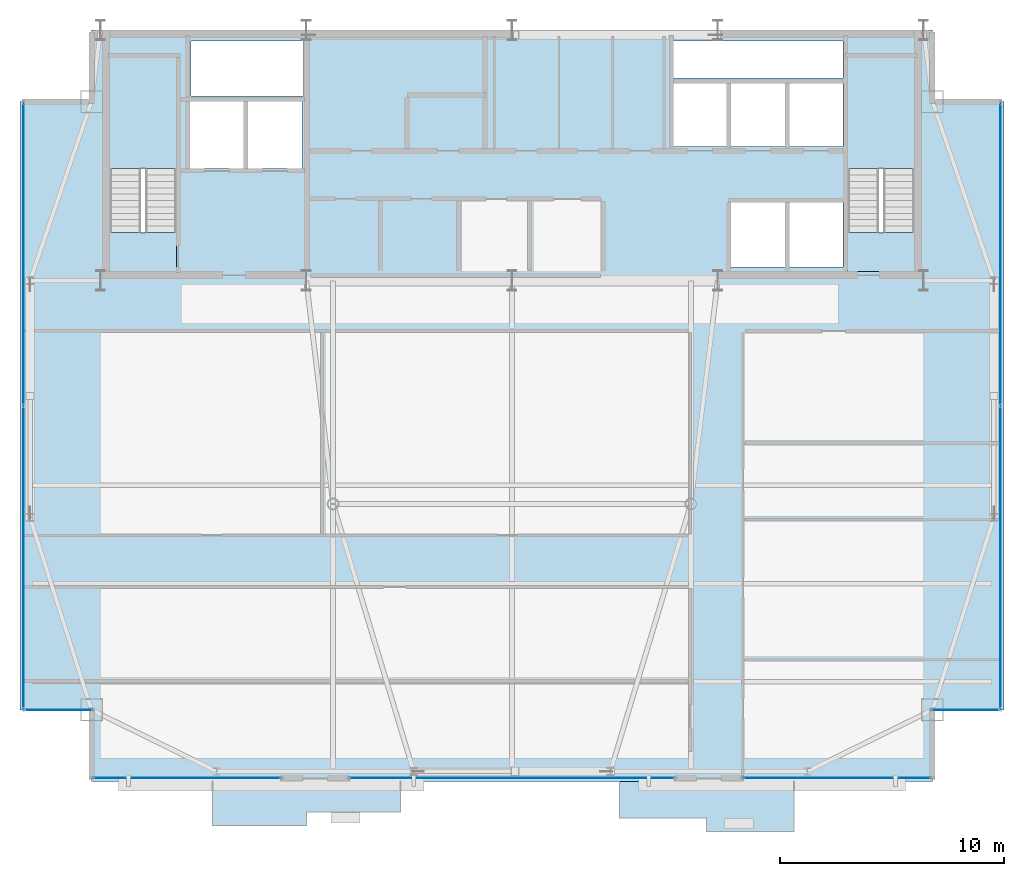
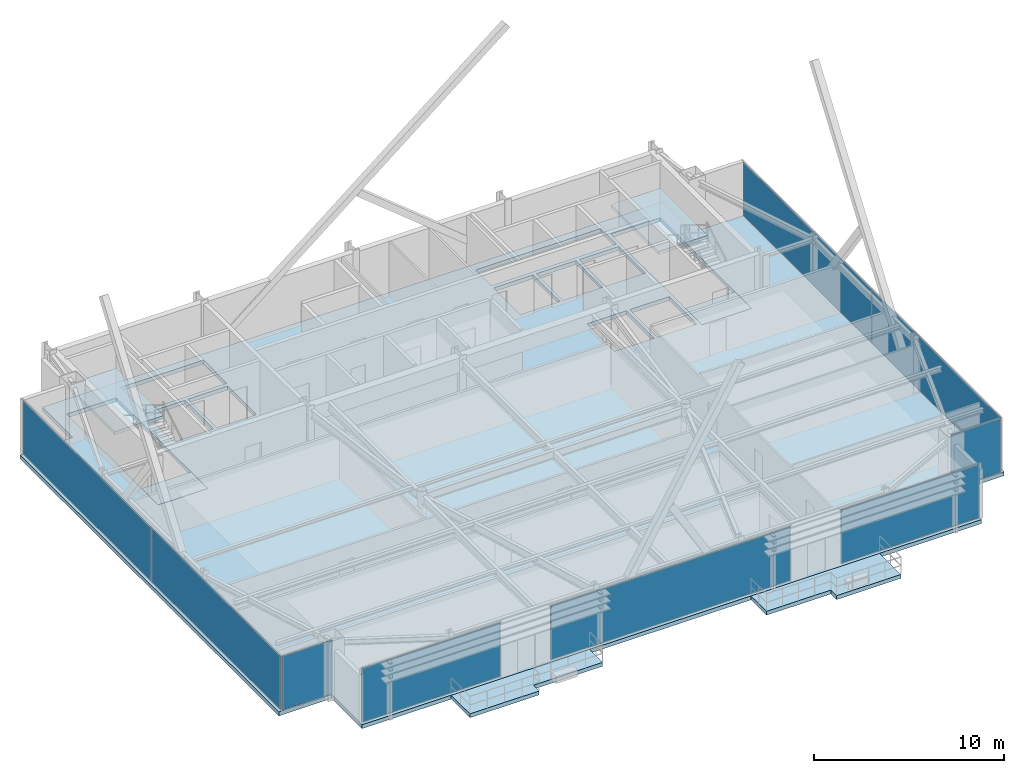
# One storey, part 18 of 25: 9 plates, 7 slabs, 9 elements without a shape of their own.
"""IFC4 building model written with IfcOpenShell, lengths in metres."""

from ifc_helpers import new_model, si_unit, direction, frame, origin, origin_2d, place, context, subcontext, project, spatial, polyline, rectangle, outline, extrude, source, transform, mapped, material, layer, layer_set, type_object, type_shapes, element, aggregate, save


model = new_model("IFC4")

# Units and contexts
model_context = context("Model", 3, precision=1e-05, world=origin(), true_north=direction((0.0, 1.0)))
body_context = subcontext(model_context, "Body", "Model", "MODEL_VIEW")
ifc_project = project(units=[si_unit("LENGTHUNIT", "METRE"), si_unit("AREAUNIT", "SQUARE_METRE"), si_unit("VOLUMEUNIT", "CUBIC_METRE"), si_unit("PLANEANGLEUNIT", "RADIAN"), si_unit("MASSUNIT", "GRAM", prefix="KILO")], contexts=[model_context])

# Site, building, storey
site_placement = place(None, origin())
site = spatial("IfcSite", under=ifc_project, at=site_placement, CompositionType="ELEMENT")
building_placement = place(site_placement, origin())
building = spatial("IfcBuilding", under=site, at=building_placement, Name="Varnel Quay Broadcast Tower", CompositionType="ELEMENT")
storey_placement = place(building_placement, frame((0.0, 0.0, 273.60009765625)))
storey = spatial("IfcBuildingStorey", under=building, at=storey_placement, Name="L68", CompositionType="ELEMENT", Elevation=273.60009765625)

# Slabs
ifc_material_1 = material(Name="Concrete CSA A23.3 C40/50", Category="concrete")
ifc_layer_1 = layer(ifc_material_1, 0.25, Name="Concrete CSA A23.3 C40/50")
ifc_layer_set_1 = layer_set([ifc_layer_1], Name="Concrete CSA A23.3 C40/50")
slab_type_1 = type_object("IfcSlabType", Name="Slab_ExtTerrace250", PredefinedType="FLOOR", material=ifc_layer_set_1)
slab_1_placement = place(storey_placement, frame((0.0, 0.0, -0.25)))
element("IfcSlab", 1, at=slab_1_placement, inside=storey, type_object=slab_type_1, Name="L68 Planted Lobe Terrace Slab 1", PredefinedType="FLOOR", context=body_context, shape_type="SweptSolid", body=[
    extrude(outline(polyline([(20.610107421875, 11.22900390625), (24.81005859375, 11.22900390625), (24.81005859375, 11.8291015625), (29.010009765625, 11.8291015625), (29.010009765625, 13.199951171875), (20.610107421875, 13.199951171875), (20.610107421875, 11.22900390625)])), origin(), (0.0, 0.0, 1.0), 0.25),
])
slab_2_placement = place(storey_placement, frame((0.0, 0.0, -0.25)))
element("IfcSlab", 2, at=slab_2_placement, inside=storey, type_object=slab_type_1, Name="L68 Planted Lobe Terrace Slab 2", PredefinedType="FLOOR", context=body_context, shape_type="SweptSolid", body=[
    extrude(outline(polyline([(38.800048828125, 11.571044921875), (42.705078125, 11.571044921875), (42.705078125, 10.970947265625), (46.610107421875, 10.970947265625), (46.610107421875, 13.199951171875), (38.800048828125, 13.199951171875), (38.800048828125, 11.571044921875)])), origin(), (0.0, 0.0, 1.0), 0.25),
])
ifc_material_2 = material(Name="Concrete CSA A23.3 C50/60", Category="concrete")
ifc_layer_2 = layer(ifc_material_2, 0.25, Name="Concrete CSA A23.3 C50/60")
ifc_layer_set_2 = layer_set([ifc_layer_2], Name="Concrete CSA A23.3 C50/60")
slab_type_2 = type_object("IfcSlabType", Name="Slab_Floor250", PredefinedType="FLOOR", material=ifc_layer_set_2)
slab_3_placement = place(storey_placement, frame((0.0, 0.0, -0.25)))
element("IfcSlab", 3, at=slab_3_placement, inside=storey, type_object=slab_type_2, Name="L68 Structural Slab", PredefinedType="FLOOR", context=body_context, shape_type="SweptSolid", body=[
    extrude(outline(polyline([(15.199951171875, 13.199951171875), (52.800048828125, 13.199951171875), (52.800048828125, 16.39990234375), (56.0, 16.39990234375), (56.0, 43.60009765625), (52.800048828125, 43.60009765625), (52.800048828125, 46.800048828125), (15.199951171875, 46.800048828125), (15.199951171875, 43.60009765625), (12.0, 43.60009765625), (12.0, 16.39990234375), (15.199951171875, 16.39990234375), (15.199951171875, 13.199951171875)]), holes=[polyline([(19.0, 36.0), (16.0, 36.0), (16.0, 45.60009765625), (19.0, 45.60009765625), (19.0, 36.0)]), polyline([(19.60009765625, 40.60009765625), (19.60009765625, 43.60009765625), (22.0, 43.60009765625), (22.0, 40.60009765625), (19.60009765625, 40.60009765625)]), polyline([(22.199951171875, 40.60009765625), (22.199951171875, 43.60009765625), (24.60009765625, 43.60009765625), (24.60009765625, 40.60009765625), (22.199951171875, 40.60009765625)]), polyline([(41.199951171875, 44.39990234375), (43.60009765625, 44.39990234375), (43.60009765625, 41.60009765625), (41.199951171875, 41.60009765625), (41.199951171875, 44.39990234375)]), polyline([(43.800048828125, 44.39990234375), (46.199951171875, 44.39990234375), (46.199951171875, 41.60009765625), (43.800048828125, 41.60009765625), (43.800048828125, 44.39990234375)]), polyline([(19.64990234375, 43.85009765625), (19.64990234375, 46.300048828125), (24.679931640625, 46.300048828125), (24.679931640625, 43.85009765625), (19.64990234375, 43.85009765625)]), polyline([(43.800048828125, 39.10009765625), (46.199951171875, 39.10009765625), (46.199951171875, 36.199951171875), (43.800048828125, 36.199951171875), (43.800048828125, 39.10009765625)]), polyline([(46.39990234375, 39.10009765625), (48.800048828125, 39.10009765625), (48.800048828125, 36.199951171875), (46.39990234375, 36.199951171875), (46.39990234375, 39.10009765625)]), polyline([(52.0, 36.0), (49.0, 36.0), (49.0, 45.60009765625), (52.0, 45.60009765625), (52.0, 36.0)]), polyline([(46.39990234375, 44.39990234375), (48.800048828125, 44.39990234375), (48.800048828125, 41.60009765625), (46.39990234375, 41.60009765625), (46.39990234375, 44.39990234375)]), polyline([(41.199951171875, 46.300048828125), (48.800048828125, 46.300048828125), (48.800048828125, 44.64990234375), (41.199951171875, 44.64990234375), (41.199951171875, 46.300048828125)])]), origin(), (0.0, 0.0, 1.0), 0.25),
])
ifc_layer_3 = layer(ifc_material_2, 0.25, Name="Concrete CSA A23.3 C50/60")
ifc_layer_set_3 = layer_set([ifc_layer_3], Name="Concrete CSA A23.3 C50/60")
slab_type_3 = type_object("IfcSlabType", Name="Slab_StairFloorLanding250", PredefinedType="FLOOR", material=ifc_layer_set_3)
slab_4_placement = place(storey_placement, frame((0.0, 0.0, -0.25)))
element("IfcSlab", 4, at=slab_4_placement, inside=storey, type_object=slab_type_3, Name="L68 ST-01 Structural Floor Landing Slab", PredefinedType="FLOOR", context=body_context, shape_type="SweptSolid", body=[
    extrude(outline(polyline([(19.0, 36.0), (19.0, 37.75), (16.0, 37.75), (16.0, 36.0), (19.0, 36.0)])), origin(), (0.0, 0.0, 1.0), 0.25),
])
slab_5_placement = place(storey_placement, frame((0.0, 0.0, -0.25)))
element("IfcSlab", 5, at=slab_5_placement, inside=storey, type_object=slab_type_3, Name="L68 ST-02 Structural Floor Landing Slab", PredefinedType="FLOOR", context=body_context, shape_type="SweptSolid", body=[
    extrude(outline(polyline([(52.0, 36.0), (52.0, 37.75), (49.0, 37.75), (49.0, 36.0), (52.0, 36.0)])), origin(), (0.0, 0.0, 1.0), 0.25),
])

# Stair, slab
ifc_material_3 = material(Name="Precast Structural Concrete C40/50", Category="concrete")
stair_type_1 = type_object("IfcStairType", Name="Stair_ST-01", PredefinedType="HALF_TURN_STAIR", material=ifc_material_3)
stair_1_placement = place(storey_placement, origin())
stair_1 = element("IfcStair", 6, at=stair_1_placement, inside=storey, type_object=stair_type_1, Name="L68 West Core Exit Stair 1", PredefinedType="HALF_TURN_STAIR")
ifc_layer_4 = layer(ifc_material_3, 0.199951171875, Name="Precast Structural Concrete C40/50")
ifc_layer_set_4 = layer_set([ifc_layer_4], Name="Precast Structural Concrete C40/50")
slab_type_4 = type_object("IfcSlabType", Name="Slab_StairLanding200", PredefinedType="LANDING", material=ifc_layer_set_4)
slab_6_placement = place(storey_placement, frame((0.0, 0.0, 1.699951171875)))
slab_6 = element("IfcSlab", 7, at=slab_6_placement, type_object=slab_type_4, Name="ST-01 landing 1", PredefinedType="LANDING", context=body_context, shape_type="SweptSolid", body=[
    extrude(outline(polyline([(19.0, 40.60009765625), (19.0, 45.60009765625), (16.0, 45.60009765625), (16.0, 40.60009765625), (19.0, 40.60009765625)])), origin(), (0.0, 0.0, 1.0), 0.199951171875),
])
aggregate(stair_1, [slab_6])

stair_type_2 = type_object("IfcStairType", Name="Stair_ST-02", PredefinedType="HALF_TURN_STAIR", material=ifc_material_3)
stair_2_placement = place(storey_placement, origin())
stair_2 = element("IfcStair", 8, at=stair_2_placement, inside=storey, type_object=stair_type_2, Name="L68 East Core Exit Stair 2", PredefinedType="HALF_TURN_STAIR")
slab_7_placement = place(storey_placement, frame((0.0, 0.0, 1.699951171875)))
slab_7 = element("IfcSlab", 9, at=slab_7_placement, type_object=slab_type_4, Name="ST-02 landing 1", PredefinedType="LANDING", context=body_context, shape_type="SweptSolid", body=[
    extrude(outline(polyline([(52.0, 40.60009765625), (52.0, 45.60009765625), (49.0, 45.60009765625), (49.0, 40.60009765625), (52.0, 40.60009765625)])), origin(), (0.0, 0.0, 1.0), 0.199951171875),
])
aggregate(stair_2, [slab_7])

# Curtain wall, plate
ifc_material_4 = material(Name="Anodised Bronze Aluminium 6063-T6", Category="aluminium")
ifc_layer_5 = layer(ifc_material_4, 0.18994140625, Name="Anodised Bronze Aluminium 6063-T6")
ifc_layer_set_5 = layer_set([ifc_layer_5], Name="Anodised Bronze Aluminium 6063-T6")
curtain_wall_type_1 = type_object("IfcCurtainWallType", Name="CW_UpperTower", PredefinedType="NOTDEFINED", material=ifc_layer_set_5)
curtain_wall_1_placement = place(storey_placement, origin())
curtain_wall_1 = element("IfcCurtainWall", 10, at=curtain_wall_1_placement, inside=storey, type_object=curtain_wall_type_1, Name="L68 South Unitised Curtain Wall 1", PredefinedType="NOTDEFINED")
ifc_material_5 = material(Name="Triple-Glazed Bronze Low-E Architectural Glass", Category="glass")
ifc_layer_6 = layer(ifc_material_5, 0.030029296875, Name="Triple-Glazed Bronze Low-E Architectural Glass")
ifc_layer_set_6 = layer_set([ifc_layer_6], Name="Triple-Glazed Bronze Low-E Architectural Glass")
plate_type_1 = type_object("IfcPlateType", Name="Panel_CWS-03", PredefinedType="CURTAIN_PANEL", material=ifc_layer_set_6)
shared_shape_1 = source(origin(), body_context, "Body", "SweptSolid", [
    extrude(rectangle(XDim=8.389892578125, YDim=0.030029296875, at=origin_2d()), origin(), (0.0, 0.0, 1.0), 3.429931640625),
])
type_shapes(plate_type_1, [shared_shape_1])
plate_1_placement = place(storey_placement, frame((19.4599609375, 13.35009765625, 0.06005859375), z_axis=(0.0, 0.0, 1.0), x_axis=(1.0, 0.0, 0.0)))
plate_1 = element("IfcPlate", 11, at=plate_1_placement, type_object=plate_type_1, Name="CWS-03 panel 1.1", PredefinedType="CURTAIN_PANEL", context=body_context, shape_type="MappedRepresentation", body=[
    mapped(shared_shape_1, transform((0.0, 0.0, 0.0), x_axis=(1.0, 0.0, 0.0), y_axis=(0.0, 1.0, 0.0), z_axis=(0.0, 0.0, 1.0), scale=1.0)),
])
aggregate(curtain_wall_1, [plate_1])

curtain_wall_2_placement = place(storey_placement, origin())
curtain_wall_2 = element("IfcCurtainWall", 12, at=curtain_wall_2_placement, inside=storey, type_object=curtain_wall_type_1, Name="L68 South Unitised Curtain Wall 3", PredefinedType="NOTDEFINED")
plate_2_placement = place(storey_placement, frame((48.5400390625, 13.35009765625, 0.06005859375), z_axis=(0.0, 0.0, 1.0), x_axis=(1.0, 0.0, 0.0)))
plate_2 = element("IfcPlate", 13, at=plate_2_placement, type_object=plate_type_1, Name="CWS-03 panel 1.1", PredefinedType="CURTAIN_PANEL", context=body_context, shape_type="MappedRepresentation", body=[
    mapped(shared_shape_1, transform((0.0, 0.0, 0.0), x_axis=(1.0, 0.0, 0.0), y_axis=(0.0, 1.0, 0.0), z_axis=(0.0, 0.0, 1.0), scale=1.0)),
])
aggregate(curtain_wall_2, [plate_2])

# Curtain wall, plates
curtain_wall_3_placement = place(storey_placement, origin())
curtain_wall_3 = element("IfcCurtainWall", 14, at=curtain_wall_3_placement, inside=storey, type_object=curtain_wall_type_1, Name="L68 West Unitised Curtain Wall", PredefinedType="NOTDEFINED")
ifc_material_6 = material(Name="Insulated Bronze Spandrel Glass", Category="glass")
ifc_layer_7 = layer(ifc_material_6, 0.030029296875, Name="Insulated Bronze Spandrel Glass")
ifc_layer_set_7 = layer_set([ifc_layer_7], Name="Insulated Bronze Spandrel Glass")
plate_type_2 = type_object("IfcPlateType", Name="PanelSp_CWS-03", PredefinedType="CURTAIN_PANEL", material=ifc_layer_set_7)
shared_shape_2 = source(origin(), body_context, "Body", "SweptSolid", [
    extrude(rectangle(XDim=13.50244140625, YDim=0.030029296875, at=origin_2d()), origin(), (0.0, 0.0, 1.0), 3.429931640625),
])
plate_3_placement = place(storey_placement, frame((12.14990234375, 23.21630859375, 0.06005859375), z_axis=(0.0, 0.0, 1.0), x_axis=(0.0, 1.0, 0.0)))
plate_3 = element("IfcPlate", 15, at=plate_3_placement, type_object=plate_type_2, Name="CWS-03 panel 1.1", PredefinedType="CURTAIN_PANEL", context=body_context, shape_type="MappedRepresentation", body=[
    mapped(shared_shape_2, transform((0.0, 0.0, 0.0), x_axis=(1.0, 0.0, 0.0), y_axis=(0.0, 1.0, 0.0), z_axis=(0.0, 0.0, 1.0), scale=1.0)),
])
plate_4_placement = place(storey_placement, frame((12.14990234375, 36.78369140625, 0.06005859375), z_axis=(0.0, 0.0, 1.0), x_axis=(0.0, 1.0, 0.0)))
plate_4 = element("IfcPlate", 16, at=plate_4_placement, type_object=plate_type_2, Name="CWS-03 panel 2.1", PredefinedType="CURTAIN_PANEL", context=body_context, shape_type="MappedRepresentation", body=[
    mapped(shared_shape_2, transform((0.0, 0.0, 0.0), x_axis=(1.0, 0.0, 0.0), y_axis=(0.0, 1.0, 0.0), z_axis=(0.0, 0.0, 1.0), scale=1.0)),
])
aggregate(curtain_wall_3, [plate_3, plate_4])

curtain_wall_4_placement = place(storey_placement, origin())
curtain_wall_4 = element("IfcCurtainWall", 17, at=curtain_wall_4_placement, inside=storey, type_object=curtain_wall_type_1, Name="L68 East Unitised Curtain Wall", PredefinedType="NOTDEFINED")
plate_5_placement = place(storey_placement, frame((55.85009765625, 23.21630859375, 0.06005859375), z_axis=(0.0, 0.0, 1.0), x_axis=(0.0, 1.0, 0.0)))
plate_5 = element("IfcPlate", 18, at=plate_5_placement, type_object=plate_type_2, Name="CWS-03 panel 1.1", PredefinedType="CURTAIN_PANEL", context=body_context, shape_type="MappedRepresentation", body=[
    mapped(shared_shape_2, transform((0.0, 0.0, 0.0), x_axis=(1.0, 0.0, 0.0), y_axis=(0.0, 1.0, 0.0), z_axis=(0.0, 0.0, 1.0), scale=1.0)),
])
plate_6_placement = place(storey_placement, frame((55.85009765625, 36.78369140625, 0.06005859375), z_axis=(0.0, 0.0, 1.0), x_axis=(0.0, 1.0, 0.0)))
plate_6 = element("IfcPlate", 19, at=plate_6_placement, type_object=plate_type_2, Name="CWS-03 panel 2.1", PredefinedType="CURTAIN_PANEL", context=body_context, shape_type="MappedRepresentation", body=[
    mapped(shared_shape_2, transform((0.0, 0.0, 0.0), x_axis=(1.0, 0.0, 0.0), y_axis=(0.0, 1.0, 0.0), z_axis=(0.0, 0.0, 1.0), scale=1.0)),
])
aggregate(curtain_wall_4, [plate_5, plate_6])

# Curtain wall, plate
ifc_layer_8 = layer(ifc_material_4, 0.18994140625, Name="Anodised Bronze Aluminium 6063-T6")
ifc_layer_set_8 = layer_set([ifc_layer_8], Name="Anodised Bronze Aluminium 6063-T6")
curtain_wall_type_2 = type_object("IfcCurtainWallType", Name="CW_NotchCorner", PredefinedType="NOTDEFINED", material=ifc_layer_set_8)
curtain_wall_5_placement = place(storey_placement, origin())
curtain_wall_5 = element("IfcCurtainWall", 20, at=curtain_wall_5_placement, inside=storey, type_object=curtain_wall_type_2, Name="L68 SW Notch Curtain Wall", PredefinedType="NOTDEFINED")
ifc_layer_9 = layer(ifc_material_5, 0.028076171875, Name="Triple-Glazed Bronze Low-E Architectural Glass")
ifc_layer_set_9 = layer_set([ifc_layer_9], Name="Triple-Glazed Bronze Low-E Architectural Glass")
plate_type_3 = type_object("IfcPlateType", Name="Panel_CWS-04", PredefinedType="CURTAIN_PANEL", material=ifc_layer_set_9)
shared_shape_3 = source(origin(), body_context, "Body", "SweptSolid", [
    extrude(rectangle(XDim=3.010009765625, YDim=0.028076171875, at=origin_2d()), origin(), (0.0, 0.0, 1.0), 3.43994140625),
])
type_shapes(plate_type_3, [shared_shape_3])
plate_7_placement = place(storey_placement, frame((13.715087890625, 16.39990234375, 0.054931640625), z_axis=(0.0, 0.0, 1.0), x_axis=(1.0, 0.0, 0.0)))
plate_7 = element("IfcPlate", 21, at=plate_7_placement, type_object=plate_type_3, Name="CWS-04 panel 1.1", PredefinedType="CURTAIN_PANEL", context=body_context, shape_type="MappedRepresentation", body=[
    mapped(shared_shape_3, transform((0.0, 0.0, 0.0), x_axis=(1.0, 0.0, 0.0), y_axis=(0.0, 1.0, 0.0), z_axis=(0.0, 0.0, 1.0), scale=1.0)),
])
aggregate(curtain_wall_5, [plate_7])

curtain_wall_6_placement = place(storey_placement, origin())
curtain_wall_6 = element("IfcCurtainWall", 22, at=curtain_wall_6_placement, inside=storey, type_object=curtain_wall_type_2, Name="L68 SE Notch Curtain Wall", PredefinedType="NOTDEFINED")
plate_8_placement = place(storey_placement, frame((54.284912109375, 16.39990234375, 0.054931640625), z_axis=(0.0, 0.0, 1.0), x_axis=(1.0, 0.0, 0.0)))
plate_8 = element("IfcPlate", 23, at=plate_8_placement, type_object=plate_type_3, Name="CWS-04 panel 1.1", PredefinedType="CURTAIN_PANEL", context=body_context, shape_type="MappedRepresentation", body=[
    mapped(shared_shape_3, transform((0.0, 0.0, 0.0), x_axis=(1.0, 0.0, 0.0), y_axis=(0.0, 1.0, 0.0), z_axis=(0.0, 0.0, 1.0), scale=1.0)),
])
aggregate(curtain_wall_6, [plate_8])

curtain_wall_7_placement = place(storey_placement, origin())
curtain_wall_7 = element("IfcCurtainWall", 24, at=curtain_wall_7_placement, inside=storey, type_object=curtain_wall_type_1, Name="L68 South Unitised Curtain Wall 2", PredefinedType="NOTDEFINED")
shared_shape_4 = source(origin(), body_context, "Body", "SweptSolid", [
    extrude(rectangle(XDim=14.510009765625, YDim=0.030029296875, at=origin_2d()), origin(), (0.0, 0.0, 1.0), 3.429931640625),
])
type_shapes(plate_type_2, [shared_shape_2, shared_shape_4])
plate_9_placement = place(storey_placement, frame((34.0, 13.35009765625, 0.06005859375), z_axis=(0.0, 0.0, 1.0), x_axis=(1.0, 0.0, 0.0)))
plate_9 = element("IfcPlate", 25, at=plate_9_placement, type_object=plate_type_2, Name="CWS-03 panel 1.1", PredefinedType="CURTAIN_PANEL", context=body_context, shape_type="MappedRepresentation", body=[
    mapped(shared_shape_4, transform((0.0, 0.0, 0.0), x_axis=(1.0, 0.0, 0.0), y_axis=(0.0, 1.0, 0.0), z_axis=(0.0, 0.0, 1.0), scale=1.0)),
])
aggregate(curtain_wall_7, [plate_9])

save(model, "model.ifc")
